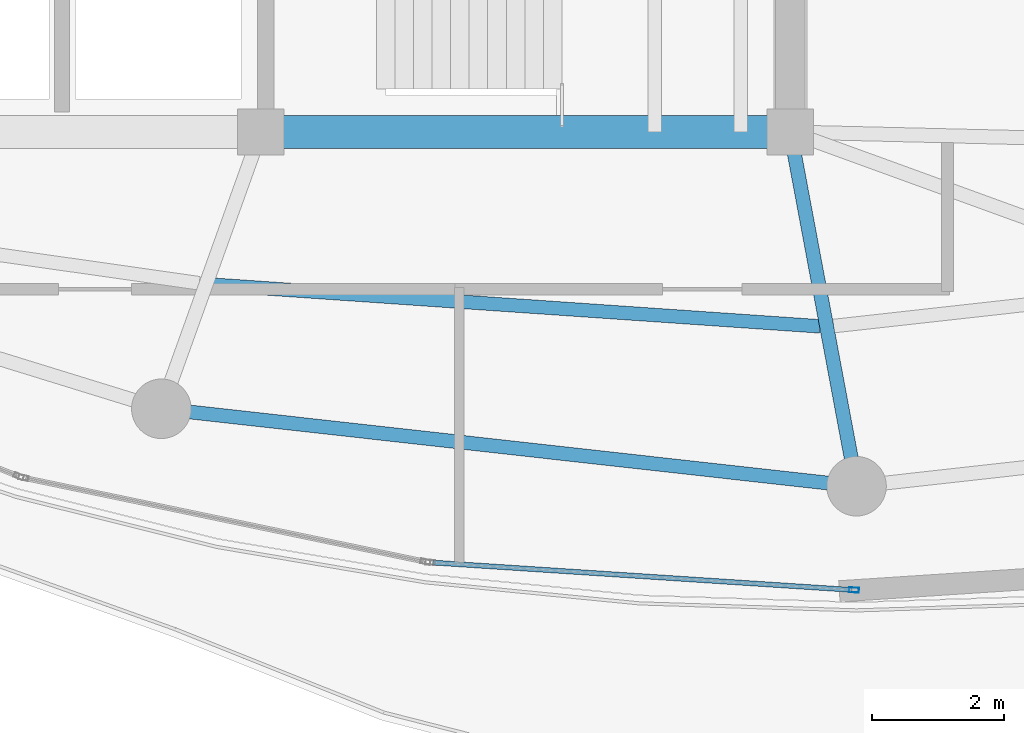
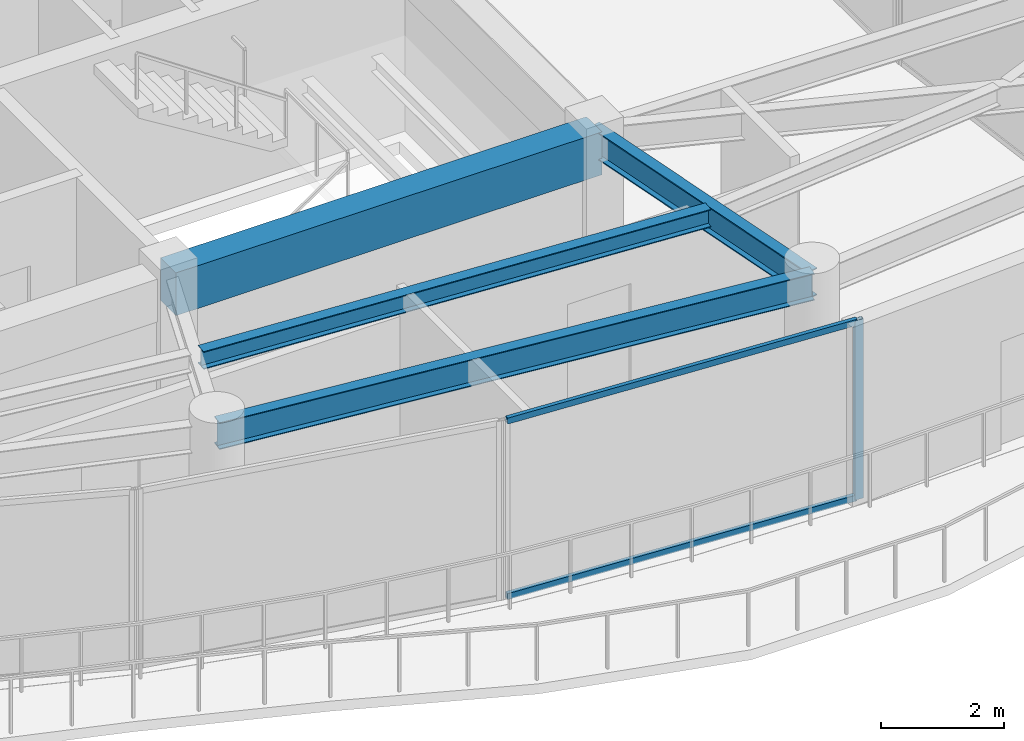
# One storey, part 5 of 22: 4 beams, 3 members, 1 element without a shape of its own.
"""IFC4 building model written with IfcOpenShell, lengths in metres."""

from ifc_helpers import new_model, si_unit, direction, frame, origin, origin_2d, place, context, subcontext, project, spatial, rectangle, hollow_rectangle, i_section, extrude, material, layer, layer_set, material_profile, profile_set, type_object, element, aggregate, save


model = new_model("IFC4")

# Units and contexts
model_context = context("Model", 3, precision=1e-05, world=origin(), true_north=direction((0.0, 1.0)))
body_context = subcontext(model_context, "Body", "Model", "MODEL_VIEW")
ifc_project = project(units=[si_unit("LENGTHUNIT", "METRE"), si_unit("AREAUNIT", "SQUARE_METRE"), si_unit("VOLUMEUNIT", "CUBIC_METRE"), si_unit("PLANEANGLEUNIT", "RADIAN"), si_unit("MASSUNIT", "GRAM", prefix="KILO")], contexts=[model_context])

# Site, building, storey
site_placement = place(None, origin())
site = spatial("IfcSite", under=ifc_project, at=site_placement, CompositionType="ELEMENT")
building_placement = place(site_placement, origin())
building = spatial("IfcBuilding", under=site, at=building_placement, Name="Kazevale Care Tower and Concert Hall", CompositionType="ELEMENT")
storey_placement = place(building_placement, frame((0.0, 0.0, 273.800048828125)))
storey = spatial("IfcBuildingStorey", under=building, at=storey_placement, Name="L72", CompositionType="ELEMENT", Elevation=273.800048828125)

# Curtain wall, members
ifc_material_1 = material(Name="Aluminium 6063-T6 and Low-E Glass", Category="aluminium")
ifc_layer = layer(ifc_material_1, 0.179931640625)
ifc_layer_set = layer_set([ifc_layer], Name="Aluminium 6063-T6 and Low-E Glass")
curtain_wall_type = type_object("IfcCurtainWallType", Name="Sheltered Concave Balcony Curtain Wall CW-5", PredefinedType="NOTDEFINED", material=ifc_layer_set)
curtain_wall_placement = place(storey_placement, origin())
curtain_wall = element("IfcCurtainWall", 1, at=curtain_wall_placement, inside=storey, type_object=curtain_wall_type, Name="cw:L72:f02", PredefinedType="NOTDEFINED")
ifc_material_2 = material(Name="Aluminium 6063-T6", Category="aluminium")
ifc_material_profile_1 = material_profile(ifc_material_2, hollow_rectangle(XDim=0.074951171875, YDim=0.14990234375, WallThickness=0.00390625, at=origin_2d()), Name="ALU75x150x4")
ifc_profile_set_1 = profile_set([ifc_material_profile_1], Name="Aluminium 6063-T6")
member_type_1 = type_object("IfcMemberType", Name="CW-5 Mullion ALU75x150x4", PredefinedType="MULLION", material=ifc_profile_set_1)
member_1_placement = place(storey_placement, frame((44.962646484375, 16.682373046875, 0.0), z_axis=(0.0, 0.0, 1.0), x_axis=(-0.065045771206, -0.997882281458, 0.0)))
member_1 = element("IfcMember", 2, at=member_1_placement, type_object=member_type_1, Name="CW-5 mullion 1", PredefinedType="MULLION", context=body_context, shape_type="SweptSolid", body=[
    extrude(hollow_rectangle(XDim=0.074951171875, YDim=0.14990234375, WallThickness=0.00390625, at=origin_2d()), origin(), (0.0, 0.0, 1.0), 3.56005859375),
])
ifc_material_profile_2 = material_profile(ifc_material_2, hollow_rectangle(XDim=0.074951171875, YDim=0.1201171875, WallThickness=0.00390625, at=origin_2d()), Name="ALU75x120x4")
ifc_profile_set_2 = profile_set([ifc_material_profile_2], Name="Aluminium 6063-T6")
member_type_2 = type_object("IfcMemberType", Name="CW-5 Transom ALU75x120x4", PredefinedType="USERDEFINED", material=ifc_profile_set_2)
member_2_placement = place(storey_placement, frame((44.925048828125, 16.684814453125, 0.037353515625), z_axis=(-0.997881084772, 0.065064127246, 0.0), x_axis=(-0.065064127246, -0.997881084772, 0.0)))
member_2 = element("IfcMember", 3, at=member_2_placement, type_object=member_type_2, Name="CW-5 transom 1.1", ObjectType="TRANSOM", PredefinedType="USERDEFINED", context=body_context, shape_type="SweptSolid", body=[
    extrude(hollow_rectangle(XDim=0.074951171875, YDim=0.1201171875, WallThickness=0.00390625, at=origin_2d()), origin(), (0.0, 0.0, 1.0), 6.337646484375),
])
member_3_placement = place(storey_placement, frame((44.925048828125, 16.684814453125, 3.5224609375), z_axis=(-0.997881084772, 0.065064127246, 0.0), x_axis=(-0.065064127246, -0.997881084772, 0.0)))
member_3 = element("IfcMember", 4, at=member_3_placement, type_object=member_type_2, Name="CW-5 transom 1.2", ObjectType="TRANSOM", PredefinedType="USERDEFINED", context=body_context, shape_type="SweptSolid", body=[
    extrude(hollow_rectangle(XDim=0.074951171875, YDim=0.1201171875, WallThickness=0.00390625, at=origin_2d()), origin(), (0.0, 0.0, 1.0), 6.337646484375),
])
aggregate(curtain_wall, [member_1, member_2, member_3])

# Beams
ifc_material_3 = material(Name="Concrete C60", Category="concrete")
ifc_material_profile_3 = material_profile(ifc_material_3, rectangle(XDim=0.5, YDim=0.85009765625, at=origin_2d()), Name="RC-B500x850")
ifc_profile_set_3 = profile_set([ifc_material_profile_3], Name="Concrete C60")
beam_type_1 = type_object("IfcBeamType", Name="Core Coupling Beam RC500x850", PredefinedType="LINTEL", material=ifc_profile_set_3)
beam_1_placement = place(storey_placement, frame((36.0, 23.60009765625, 3.135009765625), z_axis=(1.0, 0.0, 0.0), x_axis=(0.0, 1.0, 0.0)))
element("IfcBeam", 5, at=beam_1_placement, inside=storey, type_object=beam_type_1, Name="beam:L72:coretie:3", PredefinedType="LINTEL", context=body_context, shape_type="SweptSolid", body=[
    extrude(rectangle(XDim=0.5, YDim=0.85009765625, at=origin_2d()), origin(), (0.0, 0.0, 1.0), 8.0),
])
ifc_material_4 = material(Name="Steel ASTM A572 Gr 50", Category="steel")
ifc_material_profile_4 = material_profile(ifc_material_4, i_section(OverallWidth=0.2119140625, OverallDepth=0.5439453125, WebThickness=0.01318359375, FlangeThickness=0.021240234375, at=origin_2d()), Name="W530x123")
ifc_profile_set_4 = profile_set([ifc_material_profile_4], Name="Steel ASTM A572 Gr 50")
beam_type_2 = type_object("IfcBeamType", Name="Radial Floor Girder W530x123", PredefinedType="BEAM", material=ifc_profile_set_4)
beam_2_placement = place(storey_placement, frame((44.0, 23.60009765625, 3.287841796875), z_axis=(0.183730597003, -0.982976636408, 0.0), x_axis=(0.982976636408, 0.183730597003, 0.0)))
element("IfcBeam", 6, at=beam_2_placement, inside=storey, type_object=beam_type_2, Name="beam:L72:rad:13", PredefinedType="BEAM", context=body_context, shape_type="SweptSolid", body=[
    extrude(i_section(OverallWidth=0.2119140625, OverallDepth=0.5439453125, WebThickness=0.01318359375, FlangeThickness=0.021240234375, at=origin_2d()), origin(), (0.0, 0.0, 1.0), 5.44287109375),
])
ifc_material_profile_5 = material_profile(ifc_material_4, i_section(OverallWidth=0.205078125, OverallDepth=0.35400390625, WebThickness=0.009521484375, FlangeThickness=0.016845703125, at=origin_2d()), Name="W360x79")
ifc_profile_set_5 = profile_set([ifc_material_profile_5], Name="Steel ASTM A572 Gr 50")
beam_type_3 = type_object("IfcBeamType", Name="Secondary Floor Joist W360x79", PredefinedType="JOIST", material=ifc_profile_set_5)
beam_3_placement = place(storey_placement, frame((35.280029296875, 21.2939453125, 3.383056640625), z_axis=(0.997653920332, -0.068459150207, 0.0), x_axis=(0.068459150207, 0.997653920332, 0.0)))
element("IfcBeam", 7, at=beam_3_placement, inside=storey, type_object=beam_type_3, Name="beam:L72:joist:12", PredefinedType="JOIST", context=body_context, shape_type="SweptSolid", body=[
    extrude(i_section(OverallWidth=0.205078125, OverallDepth=0.35400390625, WebThickness=0.009521484375, FlangeThickness=0.016845703125, at=origin_2d()), origin(), (0.0, 0.0, 1.0), 9.1865234375),
])
ifc_material_profile_6 = material_profile(ifc_material_4, i_section(OverallWidth=0.208984375, OverallDepth=0.532958984375, WebThickness=0.01025390625, FlangeThickness=0.015625, at=origin_2d()), Name="W530x92")
ifc_profile_set_6 = profile_set([ifc_material_profile_6], Name="Steel ASTM A572 Gr 50")
beam_type_4 = type_object("IfcBeamType", Name="Upper Ring Beam W530x92", PredefinedType="BEAM", material=ifc_profile_set_6)
beam_4_placement = place(storey_placement, frame((34.5, 19.419921875, 3.29345703125), z_axis=(0.993849870772, -0.110735876598, 0.0), x_axis=(0.110735876598, 0.993849870772, 0.0)))
element("IfcBeam", 8, at=beam_4_placement, inside=storey, type_object=beam_type_4, Name="beam:L72:ring:12", PredefinedType="BEAM", context=body_context, shape_type="SweptSolid", body=[
    extrude(i_section(OverallWidth=0.208984375, OverallDepth=0.532958984375, WebThickness=0.01025390625, FlangeThickness=0.015625, at=origin_2d()), origin(), (0.0, 0.0, 1.0), 10.56494140625),
])

save(model, "model.ifc")
